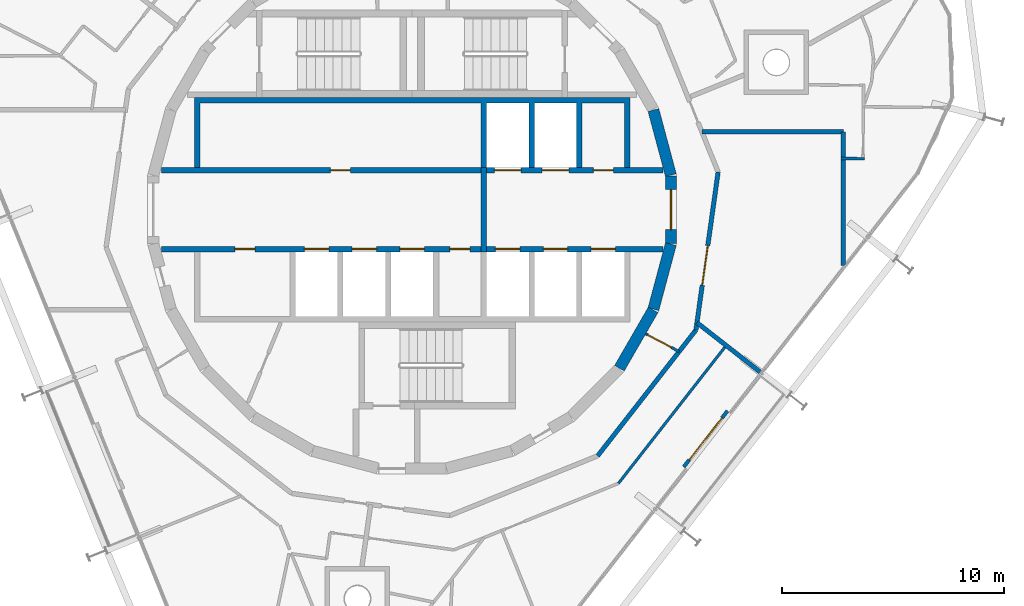
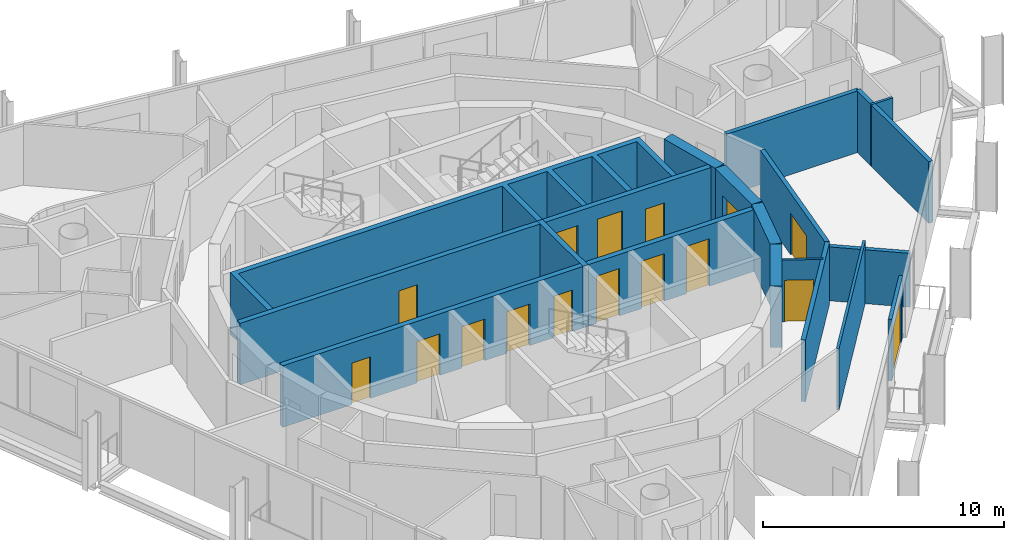
# One storey, part 11 of 15: 19 walls, 16 doors, 16 openings.
"""IFC4 building model written with IfcOpenShell, lengths in metres."""

from ifc_helpers import new_model, si_unit, direction, frame, frame_2d, origin, place, context, subcontext, project, spatial, polyline, rectangle, outline, extrude, material, layer, layer_set, type_object, element, fill, save


model = new_model("IFC4")

# Units and contexts
model_context = context("Model", 3, precision=1e-05, world=origin(), true_north=direction((0.0, 1.0)))
body_context = subcontext(model_context, "Body", "Model", "MODEL_VIEW")
ifc_project = project(units=[si_unit("LENGTHUNIT", "METRE"), si_unit("AREAUNIT", "SQUARE_METRE"), si_unit("VOLUMEUNIT", "CUBIC_METRE"), si_unit("PLANEANGLEUNIT", "RADIAN"), si_unit("MASSUNIT", "GRAM", prefix="KILO")], contexts=[model_context])

# Site, building, storey
site_placement = place(None, origin())
site = spatial("IfcSite", under=ifc_project, at=site_placement, CompositionType="ELEMENT")
building_placement = place(site_placement, origin())
building = spatial("IfcBuilding", under=site, at=building_placement, Name="Spindle Arch Residences", CompositionType="ELEMENT")
storey_placement = place(building_placement, frame((0.0, 0.0, 357.5)))
storey = spatial("IfcBuildingStorey", under=building, at=storey_placement, Name="L92", CompositionType="ELEMENT", Elevation=357.5)

# Walls
ifc_material_1 = material(Name="Concrete C50/60", Category="concrete")
ifc_layer_1 = layer(ifc_material_1, 0.5)
ifc_layer_set_1 = layer_set([ifc_layer_1], Name="Core outline wall 500")
wall_type_1 = type_object("IfcWallType", Name="Core outline wall 500", PredefinedType="SHEAR", material=ifc_layer_set_1)
for number, where, z_axis, x_axis, name in (
    (1, (9.32861328125, -7.13671875, 0.0), (0.0, 0.0, 1.0), (0.500087131594, 0.865975092491, 0.0), "Core outline wall 4"),
    (2, (10.858154296875, -4.479248046875, 0.0), (0.0, 0.0, 1.0), (0.258734743916, 0.965948410781, 0.0), "Core outline wall 5"),
):
    element("IfcWall", number, at=place(storey_placement, frame(where, z_axis=z_axis, x_axis=x_axis)), inside=storey, type_object=wall_type_1, Name=name, PredefinedType="SHEAR", context=body_context, shape_type="SweptSolid", body=[
        extrude(rectangle(XDim=3.03271484375, YDim=0.5, at=frame_2d((1.516357421875, 0.0))), origin(), (0.0, 0.0, 1.0), 3.1201171875),
    ])

# Wall, opening, door
wall_1_placement = place(storey_placement, frame((11.647216796875, -1.516357421875, 0.0), z_axis=(0.0, 0.0, 1.0), x_axis=(0.0, 1.0, 0.0)))
wall_1 = element("IfcWall", 3, at=wall_1_placement, inside=storey, type_object=wall_type_1, Name="Core outline wall 6", PredefinedType="SHEAR", context=body_context, shape_type="SweptSolid", body=[
    extrude(rectangle(XDim=3.03271484375, YDim=0.5, at=frame_2d((1.516357421875, 0.0))), origin(), (0.0, 0.0, 1.0), 3.1201171875),
])
opening_1_placement = place(wall_1_placement, frame((0.6162109375, 0.0, 0.0)))
opening_1 = element("IfcOpeningElement", 4, at=opening_1_placement, cuts=wall_1, Name="Opening R9C1-FE01", PredefinedType="OPENING", context=body_context, shape_type="SweptSolid", body=[
    extrude(rectangle(XDim=1.800048828125, YDim=2.10009765625, at=frame_2d((0.89990234375, 1.050048828125))), frame((0.0, 0.260009765625, 0.0), z_axis=(0.0, -1.0, 0.0), x_axis=(1.0, 0.0, 0.0)), (0.0, 0.0, 1.0), 0.52001953125),
])
ifc_material_2 = material(Name="Steel, fire-resisting door", Category="steel")
door_type_1 = type_object("IfcDoorType", Name="Fire-lift lobby door 1800x2100", OperationType="DOUBLE_DOOR_SINGLE_SWING", PredefinedType="DOOR", material=ifc_material_2)
door_1_placement = place(opening_1_placement, origin())
door_1 = element("IfcDoor", 5, at=door_1_placement, inside=storey, type_object=door_type_1, Name="Fire-lift lobby door R9C1-FE01", OperationType="DOUBLE_DOOR_SINGLE_SWING", OverallHeight=2.10009765625, OverallWidth=1.800048828125, PredefinedType="DOOR", context=body_context, shape_type="SweptSolid", body=[
    extrude(rectangle(XDim=1.800048828125, YDim=2.10009765625, at=frame_2d((0.89990234375, 1.050048828125))), frame((0.0, 0.02490234375, 0.0), z_axis=(0.0, -1.0, 0.0), x_axis=(1.0, 0.0, 0.0)), (0.0, 0.0, 1.0), 0.050048828125),
])
fill(opening_1, door_1)

# Wall
wall_2_placement = place(storey_placement, frame((11.642822265625, 1.5498046875, 0.0), z_axis=(0.0, 0.0, 1.0), x_axis=(-0.258734743916, 0.965948410781, 0.0)))
element("IfcWall", 6, at=wall_2_placement, inside=storey, type_object=wall_type_1, Name="Core outline wall 7", PredefinedType="SHEAR", context=body_context, shape_type="SweptSolid", body=[
    extrude(rectangle(XDim=3.03271484375, YDim=0.5, at=frame_2d((1.516357421875, 0.0))), origin(), (0.0, 0.0, 1.0), 3.1201171875),
])

# Wall, opening, door
ifc_material_3 = material(Name="Plasterboard on steel studs", Category="steel")
ifc_layer_2 = layer(ifc_material_3, 0.1201171875)
ifc_layer_set_2 = layer_set([ifc_layer_2], Name="Corridor division wall 120")
wall_type_2 = type_object("IfcWallType", Name="Corridor division wall 120", PredefinedType="PARTITIONING", material=ifc_layer_set_2)
wall_3_placement = place(storey_placement, frame((10.510986328125, -5.5888671875, 0.0), z_axis=(0.0, 0.0, 1.0), x_axis=(0.882959677414, -0.469448834337, 0.0)))
wall_3 = element("IfcWall", 7, at=wall_3_placement, inside=storey, type_object=wall_type_2, Name="Corridor division wall R9C1-W002", PredefinedType="PARTITIONING", context=body_context, shape_type="SweptSolid", body=[
    extrude(rectangle(XDim=1.7021484375, YDim=0.1201171875, at=frame_2d((0.85107421875, 0.0))), origin(), (0.0, 0.0, 1.0), 3.1201171875),
])
opening_2_placement = place(wall_3_placement, frame((0.10009765625, 0.0, 0.0)))
opening_2 = element("IfcOpeningElement", 8, at=opening_2_placement, cuts=wall_3, Name="Opening R9C1-CD02", PredefinedType="OPENING", context=body_context, shape_type="SweptSolid", body=[
    extrude(rectangle(XDim=1.199951171875, YDim=2.10009765625, at=frame_2d((0.60009765625, 1.050048828125))), frame((0.0, 0.070068359375, 0.0), z_axis=(0.0, -1.0, 0.0), x_axis=(1.0, 0.0, 0.0)), (0.0, 0.0, 1.0), 0.14013671875),
])
ifc_material_4 = material(Name="Steel, fire-resisting door", Category="steel")
door_type_2 = type_object("IfcDoorType", Name="Corridor division door 1200x2100", OperationType="NOTDEFINED", PredefinedType="DOOR", material=ifc_material_4)
door_2_placement = place(opening_2_placement, origin())
door_2 = element("IfcDoor", 9, at=door_2_placement, inside=storey, type_object=door_type_2, Name="Corridor division door R9C1-CD02", OperationType="DOUBLE_DOOR_SINGLE_SWING", OverallHeight=2.10009765625, OverallWidth=1.199951171875, PredefinedType="DOOR", context=body_context, shape_type="SweptSolid", body=[
    extrude(rectangle(XDim=1.199951171875, YDim=2.10009765625, at=frame_2d((0.60009765625, 1.050048828125))), frame((0.0, 0.02490234375, 0.0), z_axis=(0.0, -1.0, 0.0), x_axis=(1.0, 0.0, 0.0)), (0.0, 0.0, 1.0), 0.050048828125),
])
fill(opening_2, door_2)

# Wall
ifc_material_5 = material(Name="Calcium silicate block, plastered")
ifc_layer_3 = layer(ifc_material_5, 0.199951171875)
ifc_layer_set_3 = layer_set([ifc_layer_3], Name="Corridor wall 200")
wall_type_3 = type_object("IfcWallType", Name="Corridor wall 200", PredefinedType="STANDARD", material=ifc_layer_set_3)
wall_4_placement = place(storey_placement, frame((8.348876953125, -11.0791015625, 0.0), z_axis=(0.0, 0.0, 1.0), x_axis=(0.615669112324, 0.78800478687, 0.0)))
element("IfcWall", 10, at=wall_4_placement, inside=storey, type_object=wall_type_3, Name="Corridor wall R9C1-W008", PredefinedType="STANDARD", context=body_context, shape_type="SweptSolid", body=[
    extrude(rectangle(XDim=7.18115234375, YDim=0.199951171875, at=frame_2d((3.590576171875, 0.0))), origin(), (0.0, 0.0, 1.0), 3.1201171875),
])

# Wall, opening, door
ifc_material_6 = material(Name="Calcium silicate block, plastered")
ifc_layer_4 = layer(ifc_material_6, 0.199951171875)
ifc_layer_set_4 = layer_set([ifc_layer_4], Name="Fire-lift lobby bay wall 200")
wall_type_4 = type_object("IfcWallType", Name="Fire-lift lobby bay wall 200", PredefinedType="STANDARD", material=ifc_layer_set_4)
wall_5_placement = place(storey_placement, frame((12.77001953125, -5.42041015625, 0.0), z_axis=(0.0, 0.0, 1.0), x_axis=(0.139155334385, 0.990270565508, 0.0)))
wall_5 = element("IfcWall", 11, at=wall_5_placement, inside=storey, type_object=wall_type_4, Name="Fire-lift lobby bay wall R9C1-W004", PredefinedType="STANDARD", context=body_context, shape_type="SweptSolid", body=[
    extrude(rectangle(XDim=7.180908203125, YDim=0.199951171875, at=frame_2d((3.59033203125, 0.0))), origin(), (0.0, 0.0, 1.0), 3.1201171875),
])
opening_3_placement = place(wall_5_placement, frame((2.039306640625, 0.0, 0.0)))
opening_3 = element("IfcOpeningElement", 12, at=opening_3_placement, cuts=wall_5, Name="Opening R9C1-FB01", PredefinedType="OPENING", context=body_context, shape_type="SweptSolid", body=[
    extrude(rectangle(XDim=1.800048828125, YDim=2.10009765625, at=frame_2d((0.89990234375, 1.050048828125))), frame((0.0, 0.10986328125, 0.0), z_axis=(0.0, -1.0, 0.0), x_axis=(1.0, 0.0, 0.0)), (0.0, 0.0, 1.0), 0.219970703125),
])
ifc_material_7 = material(Name="Steel, fire-resisting door", Category="steel")
door_type_3 = type_object("IfcDoorType", Name="Fire-lift lobby bay door 1800x2100", OperationType="NOTDEFINED", PredefinedType="DOOR", material=ifc_material_7)
door_3_placement = place(opening_3_placement, origin())
door_3 = element("IfcDoor", 13, at=door_3_placement, inside=storey, type_object=door_type_3, Name="Fire-lift lobby bay door R9C1-FB01", OperationType="DOUBLE_DOOR_SINGLE_SWING", OverallHeight=2.10009765625, OverallWidth=1.800048828125, PredefinedType="DOOR", context=body_context, shape_type="SweptSolid", body=[
    extrude(rectangle(XDim=1.800048828125, YDim=2.10009765625, at=frame_2d((0.89990234375, 1.050048828125))), frame((0.0, 0.02490234375, 0.0), z_axis=(0.0, -1.0, 0.0), x_axis=(1.0, 0.0, 0.0)), (0.0, 0.0, 1.0), 0.050048828125),
])
fill(opening_3, door_3)

# Walls
wall_6_placement = place(storey_placement, frame((19.39990234375, -2.519287109375, 0.0), z_axis=(0.0, 0.0, 1.0), x_axis=(0.0, 1.0, 0.0)))
element("IfcWall", 14, at=wall_6_placement, inside=storey, type_object=wall_type_4, Name="Fire-lift lobby bay wall R9C1-W019", PredefinedType="STANDARD", context=body_context, shape_type="SweptSolid", body=[
    extrude(rectangle(XDim=6.019287109375, YDim=0.199951171875, at=frame_2d((3.009765625, 0.0))), origin(), (0.0, 0.0, 1.0), 3.1201171875),
])
wall_7_placement = place(storey_placement, frame((19.39990234375, 3.5, 0.0), z_axis=(0.0, 0.0, 1.0), x_axis=(-1.0, 0.0, 0.0)))
element("IfcWall", 15, at=wall_7_placement, inside=storey, type_object=wall_type_4, Name="Fire-lift lobby bay wall R9C1-W020", PredefinedType="STANDARD", context=body_context, shape_type="SweptSolid", body=[
    extrude(rectangle(XDim=6.361572265625, YDim=0.199951171875, at=frame_2d((3.1806640625, 0.0))), origin(), (0.0, 0.0, 1.0), 3.1201171875),
])
ifc_material_8 = material(Name="Calcium silicate block, plastered")
ifc_layer_5 = layer(ifc_material_8, 0.199951171875)
ifc_layer_set_5 = layer_set([ifc_layer_5], Name="Fire-lift lobby bay wall 200 under beam 2730")
wall_type_5 = type_object("IfcWallType", Name="Fire-lift lobby bay wall 200 under beam 2730", PredefinedType="STANDARD", material=ifc_layer_set_5)
wall_8_placement = place(storey_placement, frame((12.81689453125, -5.086181640625, 0.0), z_axis=(0.0, 0.0, 1.0), x_axis=(0.787994616725, -0.615682129034, 0.0)))
element("IfcWall", 16, at=wall_8_placement, inside=storey, type_object=wall_type_5, Name="Fire-lift lobby bay wall R9C1-W021", PredefinedType="STANDARD", context=body_context, shape_type="SweptSolid", body=[
    extrude(rectangle(XDim=3.607177734375, YDim=0.199951171875, at=frame_2d((1.8037109375, 0.0))), origin(), (0.0, 0.0, 1.0), 2.72998046875),
])

# Wall, openings, doors
ifc_material_9 = material(Name="Concrete C40/50", Category="concrete")
ifc_layer_6 = layer(ifc_material_9, 0.25)
ifc_layer_set_6 = layer_set([ifc_layer_6], Name="Fire-lift lobby wall 250")
wall_type_6 = type_object("IfcWallType", Name="Fire-lift lobby wall 250", PredefinedType="SHEAR", material=ifc_layer_set_6)
wall_9_placement = place(storey_placement, frame((3.35009765625, 1.77490234375, 0.0), z_axis=(0.0, 0.0, 1.0), x_axis=(1.0, 0.0, 0.0)))
wall_9 = element("IfcWall", 17, at=wall_9_placement, inside=storey, type_object=wall_type_6, Name="Lift shaft front wall NE", PredefinedType="SHEAR", context=body_context, shape_type="SweptSolid", body=[
    extrude(rectangle(XDim=7.929931640625, YDim=0.25, at=frame_2d((3.96484375, 0.0))), origin(), (0.0, 0.0, 1.0), 3.1201171875),
])
opening_4_placement = place(wall_9_placement, frame((0.35009765625, 0.0, 0.0)))
opening_4 = element("IfcOpeningElement", 18, at=opening_4_placement, cuts=wall_9, Name="Opening R9C1-SLD01", PredefinedType="OPENING", context=body_context, shape_type="SweptSolid", body=[
    extrude(rectangle(XDim=1.199951171875, YDim=2.39990234375, at=frame_2d((0.60009765625, 1.199951171875))), frame((0.0, 0.135009765625, 0.0), z_axis=(0.0, -1.0, 0.0), x_axis=(1.0, 0.0, 0.0)), (0.0, 0.0, 1.0), 0.27001953125),
])
opening_5_placement = place(wall_9_placement, frame((2.5, 0.0, 0.0)))
opening_5 = element("IfcOpeningElement", 19, at=opening_5_placement, cuts=wall_9, Name="Opening R9C1-SLD02", PredefinedType="OPENING", context=body_context, shape_type="SweptSolid", body=[
    extrude(rectangle(XDim=1.199951171875, YDim=2.39990234375, at=frame_2d((0.60009765625, 1.199951171875))), frame((0.0, 0.135009765625, 0.0), z_axis=(0.0, -1.0, 0.0), x_axis=(1.0, 0.0, 0.0)), (0.0, 0.0, 1.0), 0.27001953125),
])
opening_6_placement = place(wall_9_placement, frame((4.800048828125, 0.0, 0.0)))
opening_6 = element("IfcOpeningElement", 20, at=opening_6_placement, cuts=wall_9, Name="Opening R9C1-WD02", PredefinedType="OPENING", context=body_context, shape_type="SweptSolid", body=[
    extrude(rectangle(XDim=0.89990234375, YDim=2.10009765625, at=frame_2d((0.449951171875, 1.050048828125))), frame((0.0, 0.135009765625, 0.0), z_axis=(0.0, -1.0, 0.0), x_axis=(1.0, 0.0, 0.0)), (0.0, 0.0, 1.0), 0.27001953125),
])
ifc_material_10 = material(Name="Steel, fire-resisting landing door", Category="steel")
door_type_4 = type_object("IfcDoorType", Name="Service lift landing door 1200x2400", OperationType="DOUBLE_DOOR_SLIDING", PredefinedType="DOOR", material=ifc_material_10)
door_4_placement = place(opening_4_placement, origin())
door_4 = element("IfcDoor", 21, at=door_4_placement, inside=storey, type_object=door_type_4, Name="Service lift landing door R9C1-SLD01", OperationType="DOUBLE_DOOR_SLIDING", OverallHeight=2.39990234375, OverallWidth=1.199951171875, PredefinedType="DOOR", context=body_context, shape_type="SweptSolid", body=[
    extrude(rectangle(XDim=1.199951171875, YDim=2.39990234375, at=frame_2d((0.60009765625, 1.199951171875))), frame((0.0, 0.02490234375, 0.0), z_axis=(0.0, -1.0, 0.0), x_axis=(1.0, 0.0, 0.0)), (0.0, 0.0, 1.0), 0.050048828125),
])
fill(opening_4, door_4)
door_5_placement = place(opening_5_placement, origin())
door_5 = element("IfcDoor", 22, at=door_5_placement, inside=storey, type_object=door_type_4, Name="Service lift landing door R9C1-SLD02", OperationType="DOUBLE_DOOR_SLIDING", OverallHeight=2.39990234375, OverallWidth=1.199951171875, PredefinedType="DOOR", context=body_context, shape_type="SweptSolid", body=[
    extrude(rectangle(XDim=1.199951171875, YDim=2.39990234375, at=frame_2d((0.60009765625, 1.199951171875))), frame((0.0, 0.02490234375, 0.0), z_axis=(0.0, -1.0, 0.0), x_axis=(1.0, 0.0, 0.0)), (0.0, 0.0, 1.0), 0.050048828125),
])
fill(opening_5, door_5)
ifc_material_11 = material(Name="Steel, fire-resisting door", Category="steel")
door_type_5 = type_object("IfcDoorType", Name="Service room door 900x2100", OperationType="SINGLE_SWING_LEFT", PredefinedType="DOOR", material=ifc_material_11)
door_6_placement = place(opening_6_placement, origin())
door_6 = element("IfcDoor", 23, at=door_6_placement, inside=storey, type_object=door_type_5, Name="Service room door R9C1-WD02", OperationType="SINGLE_SWING_RIGHT", OverallHeight=2.10009765625, OverallWidth=0.89990234375, PredefinedType="DOOR", context=body_context, shape_type="SweptSolid", body=[
    extrude(rectangle(XDim=0.89990234375, YDim=2.10009765625, at=frame_2d((0.449951171875, 1.050048828125))), frame((0.0, 0.02490234375, 0.0), z_axis=(0.0, -1.0, 0.0), x_axis=(1.0, 0.0, 0.0)), (0.0, 0.0, 1.0), 0.050048828125),
])
fill(opening_6, door_6)

# Wall
wall_10_placement = place(storey_placement, frame((3.22509765625, -1.89990234375, 0.0), z_axis=(0.0, 0.0, 1.0), x_axis=(0.0, 1.0, 0.0)))
element("IfcWall", 24, at=wall_10_placement, inside=storey, type_object=wall_type_6, Name="Fire-fighting lobby partition", PredefinedType="SHEAR", context=body_context, shape_type="SweptSolid", body=[
    extrude(rectangle(XDim=3.7998046875, YDim=0.25, at=frame_2d((1.89990234375, 0.0))), origin(), (0.0, 0.0, 1.0), 3.1201171875),
])

# Wall, openings, doors
ifc_material_12 = material(Name="Concrete C50/60", Category="concrete")
ifc_layer_7 = layer(ifc_material_12, 0.25)
ifc_layer_set_7 = layer_set([ifc_layer_7], Name="Fire-lift shaft wall 250")
wall_type_7 = type_object("IfcWallType", Name="Fire-lift shaft wall 250", PredefinedType="SHEAR", material=ifc_layer_set_7)
wall_11_placement = place(storey_placement, frame((3.35009765625, -1.77490234375, 0.0), z_axis=(0.0, 0.0, 1.0), x_axis=(1.0, 0.0, 0.0)))
wall_11 = element("IfcWall", 25, at=wall_11_placement, inside=storey, type_object=wall_type_7, Name="Lift shaft front wall SE", PredefinedType="SHEAR", context=body_context, shape_type="SweptSolid", body=[
    extrude(rectangle(XDim=7.929931640625, YDim=0.25, at=frame_2d((3.96484375, 0.0))), origin(), (0.0, 0.0, 1.0), 3.1201171875),
])
opening_7_placement = place(wall_11_placement, frame((0.39990234375, 0.0, 0.0)))
opening_7 = element("IfcOpeningElement", 26, at=opening_7_placement, cuts=wall_11, Name="Opening R9C1-FLD01", PredefinedType="OPENING", context=body_context, shape_type="SweptSolid", body=[
    extrude(rectangle(XDim=1.10009765625, YDim=2.39990234375, at=frame_2d((0.550048828125, 1.199951171875))), frame((0.0, 0.135009765625, 0.0), z_axis=(0.0, -1.0, 0.0), x_axis=(1.0, 0.0, 0.0)), (0.0, 0.0, 1.0), 0.27001953125),
])
opening_8_placement = place(wall_11_placement, frame((2.550048828125, 0.0, 0.0)))
opening_8 = element("IfcOpeningElement", 27, at=opening_8_placement, cuts=wall_11, Name="Opening R9C1-FLD02", PredefinedType="OPENING", context=body_context, shape_type="SweptSolid", body=[
    extrude(rectangle(XDim=1.10009765625, YDim=2.39990234375, at=frame_2d((0.550048828125, 1.199951171875))), frame((0.0, 0.135009765625, 0.0), z_axis=(0.0, -1.0, 0.0), x_axis=(1.0, 0.0, 0.0)), (0.0, 0.0, 1.0), 0.27001953125),
])
opening_9_placement = place(wall_11_placement, frame((4.699951171875, 0.0, 0.0)))
opening_9 = element("IfcOpeningElement", 28, at=opening_9_placement, cuts=wall_11, Name="Opening R9C1-FLD03", PredefinedType="OPENING", context=body_context, shape_type="SweptSolid", body=[
    extrude(rectangle(XDim=1.10009765625, YDim=2.39990234375, at=frame_2d((0.550048828125, 1.199951171875))), frame((0.0, 0.135009765625, 0.0), z_axis=(0.0, -1.0, 0.0), x_axis=(1.0, 0.0, 0.0)), (0.0, 0.0, 1.0), 0.27001953125),
])
ifc_material_13 = material(Name="Steel, fire-resisting landing door", Category="steel")
door_type_6 = type_object("IfcDoorType", Name="Fire-fighting lift landing door 1100x2400", OperationType="DOUBLE_DOOR_SLIDING", PredefinedType="DOOR", material=ifc_material_13)
door_7_placement = place(opening_7_placement, origin())
door_7 = element("IfcDoor", 29, at=door_7_placement, inside=storey, type_object=door_type_6, Name="Fire-fighting lift landing door R9C1-FLD01", OperationType="DOUBLE_DOOR_SLIDING", OverallHeight=2.39990234375, OverallWidth=1.10009765625, PredefinedType="DOOR", context=body_context, shape_type="SweptSolid", body=[
    extrude(rectangle(XDim=1.10009765625, YDim=2.39990234375, at=frame_2d((0.550048828125, 1.199951171875))), frame((0.0, 0.02490234375, 0.0), z_axis=(0.0, -1.0, 0.0), x_axis=(1.0, 0.0, 0.0)), (0.0, 0.0, 1.0), 0.050048828125),
])
fill(opening_7, door_7)
door_8_placement = place(opening_8_placement, origin())
door_8 = element("IfcDoor", 30, at=door_8_placement, inside=storey, type_object=door_type_6, Name="Fire-fighting lift landing door R9C1-FLD02", OperationType="DOUBLE_DOOR_SLIDING", OverallHeight=2.39990234375, OverallWidth=1.10009765625, PredefinedType="DOOR", context=body_context, shape_type="SweptSolid", body=[
    extrude(rectangle(XDim=1.10009765625, YDim=2.39990234375, at=frame_2d((0.550048828125, 1.199951171875))), frame((0.0, 0.02490234375, 0.0), z_axis=(0.0, -1.0, 0.0), x_axis=(1.0, 0.0, 0.0)), (0.0, 0.0, 1.0), 0.050048828125),
])
fill(opening_8, door_8)
door_9_placement = place(opening_9_placement, origin())
door_9 = element("IfcDoor", 31, at=door_9_placement, inside=storey, type_object=door_type_6, Name="Fire-fighting lift landing door R9C1-FLD03", OperationType="DOUBLE_DOOR_SLIDING", OverallHeight=2.39990234375, OverallWidth=1.10009765625, PredefinedType="DOOR", context=body_context, shape_type="SweptSolid", body=[
    extrude(rectangle(XDim=1.10009765625, YDim=2.39990234375, at=frame_2d((0.550048828125, 1.199951171875))), frame((0.0, 0.02490234375, 0.0), z_axis=(0.0, -1.0, 0.0), x_axis=(1.0, 0.0, 0.0)), (0.0, 0.0, 1.0), 0.050048828125),
])
fill(opening_9, door_9)

# Walls
ifc_material_14 = material(Name="Plasterboard on steel studs", Category="steel")
ifc_layer_8 = layer(ifc_material_14, 0.1201171875)
ifc_layer_set_8 = layer_set([ifc_layer_8], Name="Flat partition 120")
wall_type_8 = type_object("IfcWallType", Name="Flat partition 120", PredefinedType="PARTITIONING", material=ifc_layer_set_8)
wall_12_placement = place(storey_placement, frame((19.300048828125, 2.302001953125, 0.0), z_axis=(0.0, 0.0, 1.0), x_axis=(0.999958506341, -0.009109643015, 0.0)))
element("IfcWall", 32, at=wall_12_placement, inside=storey, type_object=wall_type_8, Name="Flat partition R9C1-W029", PredefinedType="PARTITIONING", context=body_context, shape_type="SweptSolid", body=[
    extrude(rectangle(XDim=1.045166015625, YDim=0.1201171875, at=frame_2d((0.5224609375, 0.0))), origin(), (0.0, 0.0, 1.0), 3.1201171875),
])
wall_13_placement = place(storey_placement, frame((9.283447265625, -12.3193359375, 0.0), z_axis=(0.0, 0.0, 1.0), x_axis=(0.615666903036, 0.788006512985, 0.0)))
element("IfcWall", 33, at=wall_13_placement, inside=storey, type_object=wall_type_8, Name="Flat partition R9C1-W080", PredefinedType="PARTITIONING", context=body_context, shape_type="SweptSolid", body=[
    extrude(rectangle(XDim=7.875, YDim=0.1201171875, at=frame_2d((3.9375, 0.0))), origin(), (0.0, 0.0, 1.0), 3.1201171875),
])

# Wall, opening, door
ifc_material_15 = material(Name="Non-combustible mineral wool insulated aluminium faced external wall (K0)", Category="aluminium")
ifc_layer_9 = layer(ifc_material_15, 0.159912109375)
ifc_layer_set_9 = layer_set([ifc_layer_9], Name="Insulated external wall panel 160")
wall_type_9 = type_object("IfcWallType", Name="Insulated external wall panel 160", PredefinedType="STANDARD", material=ifc_layer_set_9)
wall_14_placement = place(storey_placement, frame((12.220703125, -11.578369140625, 0.0), z_axis=(0.0, 0.0, 1.0), x_axis=(0.615666248856, 0.788007024093, 0.0)))
wall_14 = element("IfcWall", 34, at=wall_14_placement, inside=storey, type_object=wall_type_9, Name="External wall L92 bay 20", PredefinedType="STANDARD", context=body_context, shape_type="SweptSolid", body=[
    extrude(rectangle(XDim=3.2001953125, YDim=0.159912109375, at=frame_2d((1.60009765625, 0.0))), origin(), (0.0, 0.0, 1.0), 3.1201171875),
])
opening_10_placement = place(wall_14_placement, frame((0.39990234375, 0.0, 0.0)))
opening_10 = element("IfcOpeningElement", 35, at=opening_10_placement, cuts=wall_14, Name="Opening BD20", PredefinedType="OPENING", context=body_context, shape_type="SweptSolid", body=[
    extrude(rectangle(XDim=2.39990234375, YDim=2.39990234375, at=frame_2d((1.199951171875, 1.199951171875))), frame((0.0, 0.08984375, 0.0), z_axis=(0.0, -1.0, 0.0), x_axis=(1.0, 0.0, 0.0)), (0.0, 0.0, 1.0), 0.179931640625),
])
ifc_material_16 = material(Name="Bronze aluminium frame, tinted double glazing", Category="aluminium")
door_type_7 = type_object("IfcDoorType", Name="Sliding glazed balcony door 2400x2400", OperationType="DOUBLE_DOOR_SLIDING", PredefinedType="DOOR", material=ifc_material_16)
door_10_placement = place(opening_10_placement, origin())
door_10 = element("IfcDoor", 36, at=door_10_placement, inside=storey, type_object=door_type_7, Name="Balcony door BD20", OperationType="DOUBLE_DOOR_SLIDING", OverallHeight=2.39990234375, OverallWidth=2.39990234375, PredefinedType="DOOR", context=body_context, shape_type="SweptSolid", body=[
    extrude(rectangle(XDim=2.39990234375, YDim=2.39990234375, at=frame_2d((1.199951171875, 1.199951171875))), frame((0.0, 0.02490234375, 0.0), z_axis=(0.0, -1.0, 0.0), x_axis=(1.0, 0.0, 0.0)), (0.0, 0.0, 1.0), 0.050048828125),
])
fill(opening_10, door_10)

ifc_material_17 = material(Name="Concrete C50/60", Category="concrete")
ifc_layer_10 = layer(ifc_material_17, 0.25)
ifc_layer_set_10 = layer_set([ifc_layer_10], Name="Lift shaft wall 250")
wall_type_10 = type_object("IfcWallType", Name="Lift shaft wall 250", PredefinedType="SHEAR", material=ifc_layer_set_10)
wall_15_placement = place(storey_placement, frame((-11.280029296875, 1.77490234375, 0.0), z_axis=(0.0, 0.0, 1.0), x_axis=(1.0, 0.0, 0.0)))
wall_15 = element("IfcWall", 37, at=wall_15_placement, inside=storey, type_object=wall_type_10, Name="Lift shaft front wall NW", PredefinedType="SHEAR", context=body_context, shape_type="SweptSolid", body=[
    extrude(rectangle(XDim=14.380126953125, YDim=0.25, at=frame_2d((7.18994140625, 0.0))), origin(), (0.0, 0.0, 1.0), 3.1201171875),
])
opening_11_placement = place(wall_15_placement, frame((7.60498046875, 0.0, 0.0)))
opening_11 = element("IfcOpeningElement", 38, at=opening_11_placement, cuts=wall_15, Name="Opening R9C1-WD01", PredefinedType="OPENING", context=body_context, shape_type="SweptSolid", body=[
    extrude(rectangle(XDim=0.89990234375, YDim=2.10009765625, at=frame_2d((0.449951171875, 1.050048828125))), frame((0.0, 0.135009765625, 0.0), z_axis=(0.0, -1.0, 0.0), x_axis=(1.0, 0.0, 0.0)), (0.0, 0.0, 1.0), 0.27001953125),
])
door_11_placement = place(opening_11_placement, origin())
door_11 = element("IfcDoor", 39, at=door_11_placement, inside=storey, type_object=door_type_5, Name="Service room door R9C1-WD01", OperationType="SINGLE_SWING_LEFT", OverallHeight=2.10009765625, OverallWidth=0.89990234375, PredefinedType="DOOR", context=body_context, shape_type="SweptSolid", body=[
    extrude(rectangle(XDim=0.89990234375, YDim=2.10009765625, at=frame_2d((0.449951171875, 1.050048828125))), frame((0.0, 0.02490234375, 0.0), z_axis=(0.0, -1.0, 0.0), x_axis=(1.0, 0.0, 0.0)), (0.0, 0.0, 1.0), 0.050048828125),
])
fill(opening_11, door_11)

# Wall, openings, doors
wall_16_placement = place(storey_placement, frame((-11.280029296875, -1.77490234375, 0.0), z_axis=(0.0, 0.0, 1.0), x_axis=(1.0, 0.0, 0.0)))
wall_16 = element("IfcWall", 40, at=wall_16_placement, inside=storey, type_object=wall_type_10, Name="Lift shaft front wall SW", PredefinedType="SHEAR", context=body_context, shape_type="SweptSolid", body=[
    extrude(rectangle(XDim=14.380126953125, YDim=0.25, at=frame_2d((7.18994140625, 0.0))), origin(), (0.0, 0.0, 1.0), 3.1201171875),
])
opening_12_placement = place(wall_16_placement, frame((6.429931640625, 0.0, 0.0)))
opening_12 = element("IfcOpeningElement", 41, at=opening_12_placement, cuts=wall_16, Name="Opening R9C1-LD01", PredefinedType="OPENING", context=body_context, shape_type="SweptSolid", body=[
    extrude(rectangle(XDim=1.10009765625, YDim=2.10009765625, at=frame_2d((0.550048828125, 1.050048828125))), frame((0.0, 0.135009765625, 0.0), z_axis=(0.0, -1.0, 0.0), x_axis=(1.0, 0.0, 0.0)), (0.0, 0.0, 1.0), 0.27001953125),
])
opening_13_placement = place(wall_16_placement, frame((8.580078125, 0.0, 0.0)))
opening_13 = element("IfcOpeningElement", 42, at=opening_13_placement, cuts=wall_16, Name="Opening R9C1-LD02", PredefinedType="OPENING", context=body_context, shape_type="SweptSolid", body=[
    extrude(rectangle(XDim=1.10009765625, YDim=2.10009765625, at=frame_2d((0.550048828125, 1.050048828125))), frame((0.0, 0.135009765625, 0.0), z_axis=(0.0, -1.0, 0.0), x_axis=(1.0, 0.0, 0.0)), (0.0, 0.0, 1.0), 0.27001953125),
])
opening_14_placement = place(wall_16_placement, frame((10.72998046875, 0.0, 0.0)))
opening_14 = element("IfcOpeningElement", 43, at=opening_14_placement, cuts=wall_16, Name="Opening R9C1-LD03", PredefinedType="OPENING", context=body_context, shape_type="SweptSolid", body=[
    extrude(rectangle(XDim=1.10009765625, YDim=2.10009765625, at=frame_2d((0.550048828125, 1.050048828125))), frame((0.0, 0.135009765625, 0.0), z_axis=(0.0, -1.0, 0.0), x_axis=(1.0, 0.0, 0.0)), (0.0, 0.0, 1.0), 0.27001953125),
])
opening_15_placement = place(wall_16_placement, frame((3.304931640625, 0.0, 0.0)))
opening_15 = element("IfcOpeningElement", 44, at=opening_15_placement, cuts=wall_16, Name="Opening R9C1-WD03", PredefinedType="OPENING", context=body_context, shape_type="SweptSolid", body=[
    extrude(rectangle(XDim=0.89990234375, YDim=2.10009765625, at=frame_2d((0.449951171875, 1.050048828125))), frame((0.0, 0.135009765625, 0.0), z_axis=(0.0, -1.0, 0.0), x_axis=(1.0, 0.0, 0.0)), (0.0, 0.0, 1.0), 0.27001953125),
])
opening_16_placement = place(wall_16_placement, frame((12.97998046875, 0.0, 0.0)))
opening_16 = element("IfcOpeningElement", 45, at=opening_16_placement, cuts=wall_16, Name="Opening R9C1-WD04", PredefinedType="OPENING", context=body_context, shape_type="SweptSolid", body=[
    extrude(rectangle(XDim=0.89990234375, YDim=2.10009765625, at=frame_2d((0.449951171875, 1.050048828125))), frame((0.0, 0.135009765625, 0.0), z_axis=(0.0, -1.0, 0.0), x_axis=(1.0, 0.0, 0.0)), (0.0, 0.0, 1.0), 0.27001953125),
])
ifc_material_18 = material(Name="Steel, fire-resisting landing door", Category="steel")
door_type_8 = type_object("IfcDoorType", Name="Lift landing door 1100x2100", OperationType="DOUBLE_DOOR_SLIDING", PredefinedType="DOOR", material=ifc_material_18)
door_12_placement = place(opening_12_placement, origin())
door_12 = element("IfcDoor", 46, at=door_12_placement, inside=storey, type_object=door_type_8, Name="Lift landing door R9C1-LD01", OperationType="DOUBLE_DOOR_SLIDING", OverallHeight=2.10009765625, OverallWidth=1.10009765625, PredefinedType="DOOR", context=body_context, shape_type="SweptSolid", body=[
    extrude(rectangle(XDim=1.10009765625, YDim=2.10009765625, at=frame_2d((0.550048828125, 1.050048828125))), frame((0.0, 0.02490234375, 0.0), z_axis=(0.0, -1.0, 0.0), x_axis=(1.0, 0.0, 0.0)), (0.0, 0.0, 1.0), 0.050048828125),
])
fill(opening_12, door_12)
door_13_placement = place(opening_13_placement, origin())
door_13 = element("IfcDoor", 47, at=door_13_placement, inside=storey, type_object=door_type_8, Name="Lift landing door R9C1-LD02", OperationType="DOUBLE_DOOR_SLIDING", OverallHeight=2.10009765625, OverallWidth=1.10009765625, PredefinedType="DOOR", context=body_context, shape_type="SweptSolid", body=[
    extrude(rectangle(XDim=1.10009765625, YDim=2.10009765625, at=frame_2d((0.550048828125, 1.050048828125))), frame((0.0, 0.02490234375, 0.0), z_axis=(0.0, -1.0, 0.0), x_axis=(1.0, 0.0, 0.0)), (0.0, 0.0, 1.0), 0.050048828125),
])
fill(opening_13, door_13)
door_14_placement = place(opening_14_placement, origin())
door_14 = element("IfcDoor", 48, at=door_14_placement, inside=storey, type_object=door_type_8, Name="Lift landing door R9C1-LD03", OperationType="DOUBLE_DOOR_SLIDING", OverallHeight=2.10009765625, OverallWidth=1.10009765625, PredefinedType="DOOR", context=body_context, shape_type="SweptSolid", body=[
    extrude(rectangle(XDim=1.10009765625, YDim=2.10009765625, at=frame_2d((0.550048828125, 1.050048828125))), frame((0.0, 0.02490234375, 0.0), z_axis=(0.0, -1.0, 0.0), x_axis=(1.0, 0.0, 0.0)), (0.0, 0.0, 1.0), 0.050048828125),
])
fill(opening_14, door_14)
door_15_placement = place(opening_15_placement, origin())
door_15 = element("IfcDoor", 49, at=door_15_placement, inside=storey, type_object=door_type_5, Name="Service room door R9C1-WD03", OperationType="SINGLE_SWING_LEFT", OverallHeight=2.10009765625, OverallWidth=0.89990234375, PredefinedType="DOOR", context=body_context, shape_type="SweptSolid", body=[
    extrude(rectangle(XDim=0.89990234375, YDim=2.10009765625, at=frame_2d((0.449951171875, 1.050048828125))), frame((0.0, 0.02490234375, 0.0), z_axis=(0.0, -1.0, 0.0), x_axis=(1.0, 0.0, 0.0)), (0.0, 0.0, 1.0), 0.050048828125),
])
fill(opening_15, door_15)
door_16_placement = place(opening_16_placement, origin())
door_16 = element("IfcDoor", 50, at=door_16_placement, inside=storey, type_object=door_type_5, Name="Service room door R9C1-WD04", OperationType="SINGLE_SWING_RIGHT", OverallHeight=2.10009765625, OverallWidth=0.89990234375, PredefinedType="DOOR", context=body_context, shape_type="SweptSolid", body=[
    extrude(rectangle(XDim=0.89990234375, YDim=2.10009765625, at=frame_2d((0.449951171875, 1.050048828125))), frame((0.0, 0.02490234375, 0.0), z_axis=(0.0, -1.0, 0.0), x_axis=(1.0, 0.0, 0.0)), (0.0, 0.0, 1.0), 0.050048828125),
])
fill(opening_16, door_16)

# Wall
ifc_material_19 = material(Name="Concrete C50/60", Category="concrete")
wall_type_11 = type_object("IfcWallType", Name="Lift shaft wall profile", PredefinedType="SHEAR", material=ifc_material_19)
wall_17_placement = place(storey_placement, origin())
element("IfcWall", 51, at=wall_17_placement, inside=storey, type_object=wall_type_11, Name="Lift shaft walls N", PredefinedType="SHEAR", context=body_context, shape_type="SweptSolid", body=[
    extrude(outline(polyline([(-9.800048828125, 1.89990234375), (-9.550048828125, 1.89990234375), (-9.550048828125, 4.800048828125), (3.10009765625, 4.800048828125), (3.10009765625, 1.89990234375), (3.35009765625, 1.89990234375), (3.35009765625, 4.800048828125), (5.25, 4.800048828125), (5.25, 1.89990234375), (5.5, 1.89990234375), (5.5, 4.800048828125), (7.39990234375, 4.800048828125), (7.39990234375, 1.89990234375), (7.64990234375, 1.89990234375), (7.64990234375, 4.800048828125), (9.550048828125, 4.800048828125), (9.550048828125, 1.89990234375), (9.800048828125, 1.89990234375), (9.800048828125, 4.800048828125), (9.800048828125, 5.050048828125), (-9.800048828125, 5.050048828125), (-9.800048828125, 4.800048828125), (-9.800048828125, 1.89990234375)])), origin(), (0.0, 0.0, 1.0), 3.1201171875),
])

save(model, "model.ifc")
